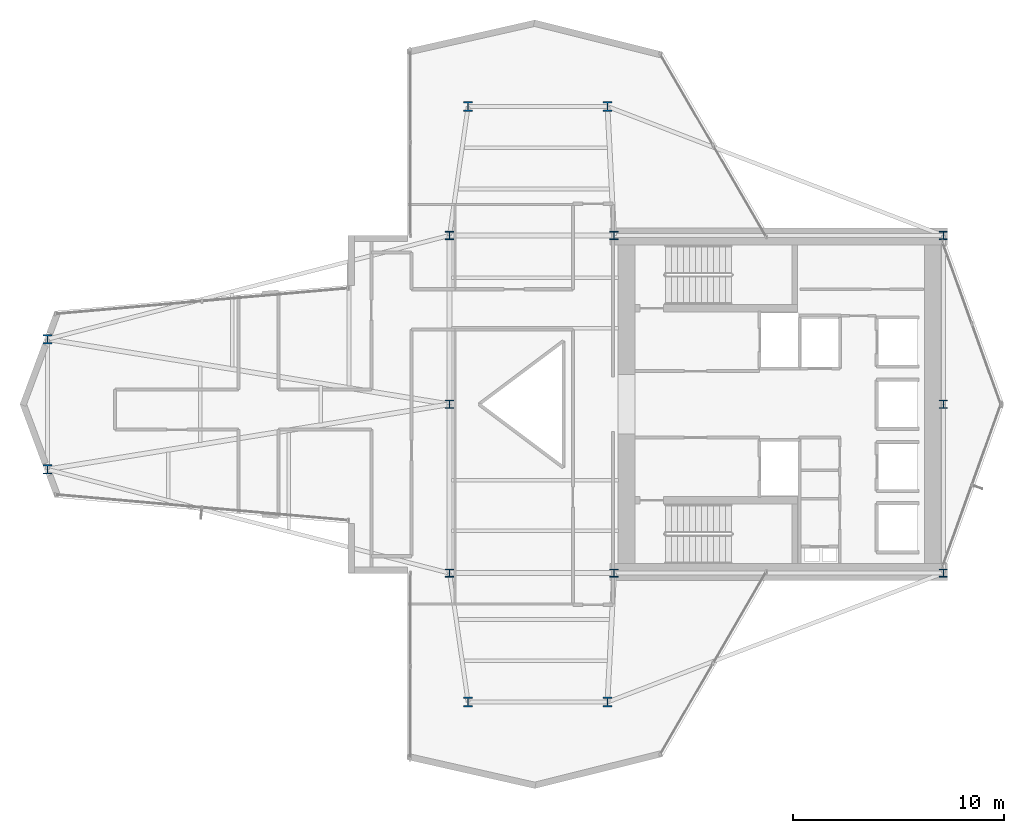
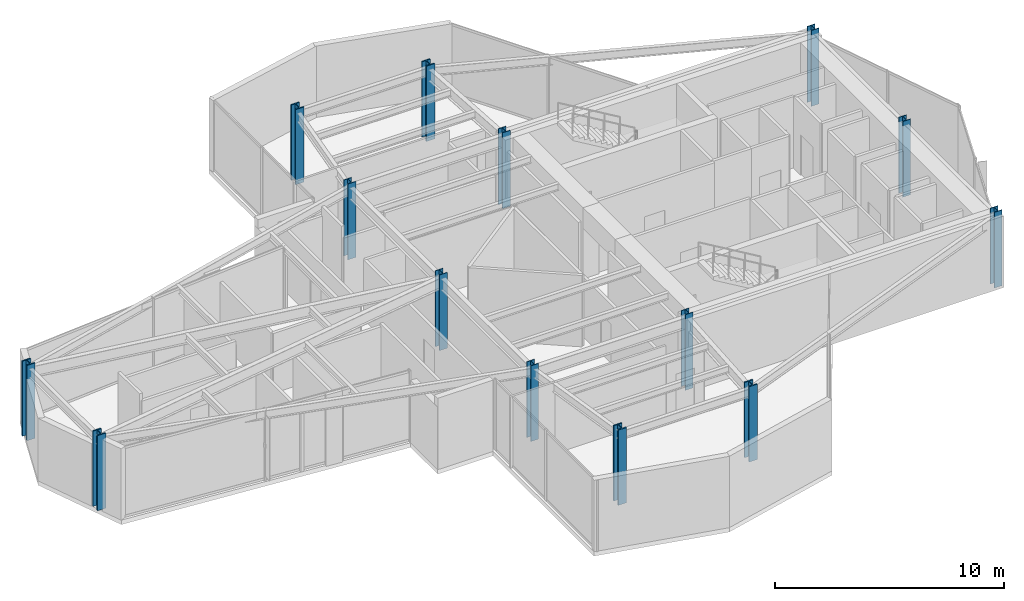
# One storey, part 1 of 25: 14 columns.
"""IFC4 building model written with IfcOpenShell, lengths in metres."""

from ifc_helpers import new_model, si_unit, direction, frame, origin, origin_2d, place, context, subcontext, project, spatial, i_section, extrude, material, material_profile, profile_set, type_object, element, save


model = new_model("IFC4")

# Units and contexts
model_context = context("Model", 3, precision=1e-05, world=origin(), true_north=direction((0.0, 1.0)))
body_context = subcontext(model_context, "Body", "Model", "MODEL_VIEW")
ifc_project = project(units=[si_unit("LENGTHUNIT", "METRE"), si_unit("AREAUNIT", "SQUARE_METRE"), si_unit("VOLUMEUNIT", "CUBIC_METRE"), si_unit("PLANEANGLEUNIT", "RADIAN"), si_unit("MASSUNIT", "GRAM", prefix="KILO")], contexts=[model_context])

# Site, building, storey
site_placement = place(None, origin())
site = spatial("IfcSite", under=ifc_project, at=site_placement, CompositionType="ELEMENT")
building_placement = place(site_placement, origin())
building = spatial("IfcBuilding", under=site, at=building_placement, Name="Veymaron Broadcast Tower", CompositionType="ELEMENT")
storey_placement = place(building_placement, frame((0.0, 0.0, 169.5)))
storey = spatial("IfcBuildingStorey", under=building, at=storey_placement, Name="L39", CompositionType="ELEMENT", Elevation=169.5)

# Columns
ifc_material_1 = material(Name="Structural steel ASTM A992 Gr 50", Category="steel")
ifc_material_profile_1 = material_profile(ifc_material_1, i_section(OverallWidth=0.39794921875, OverallDepth=0.386962890625, WebThickness=0.02099609375, FlangeThickness=0.033203125, at=origin_2d()), Name="W360X262")
ifc_profile_set_1 = profile_set([ifc_material_profile_1], Name="Structural steel ASTM A992 Gr 50")
column_type_1 = type_object("IfcColumnType", Name="COL-HC2", PredefinedType="COLUMN", material=ifc_profile_set_1)
for number, where, z_axis, x_axis, name in (
    (1, (31.199951171875, 16.0, 0.0), (0.0, 0.0, 1.0), (1.0, 0.0, 0.0), "L39 structural hub and core column"),
    (2, (31.199951171875, 24.0, 0.0), (0.0, 0.0, 1.0), (1.0, 0.0, 0.0), "L39 structural hub and core column"),
    (3, (31.199951171875, 32.0, 0.0), (0.0, 0.0, 1.0), (1.0, 0.0, 0.0), "L39 structural hub and core column"),
    (4, (39.0, 16.0, 0.0), (0.0, 0.0, 1.0), (1.0, 0.0, 0.0), "L39 structural hub and core column"),
    (5, (39.0, 32.0, 0.0), (0.0, 0.0, 1.0), (1.0, 0.0, 0.0), "L39 structural hub and core column"),
    (6, (54.60009765625, 16.0, 0.0), (0.0, 0.0, 1.0), (1.0, 0.0, 0.0), "L39 structural hub and core column"),
    (7, (54.60009765625, 24.0, 0.0), (0.0, 0.0, 1.0), (1.0, 0.0, 0.0), "L39 structural hub and core column"),
    (8, (54.60009765625, 32.0, 0.0), (0.0, 0.0, 1.0), (1.0, 0.0, 0.0), "L39 structural hub and core column"),
):
    element("IfcColumn", number, at=place(storey_placement, frame(where, z_axis=z_axis, x_axis=x_axis)), inside=storey, type_object=column_type_1, Name=name, PredefinedType="COLUMN", context=body_context, shape_type="SweptSolid", body=[
        extrude(i_section(OverallWidth=0.39794921875, OverallDepth=0.386962890625, WebThickness=0.02099609375, FlangeThickness=0.033203125, at=origin_2d()), origin(), (0.0, 0.0, 1.0), 4.0439453125),
    ])
ifc_material_2 = material(Name="Structural steel ASTM A913 Gr 65", Category="steel")
ifc_material_profile_2 = material_profile(ifc_material_2, i_section(OverallWidth=0.41796875, OverallDepth=0.455078125, WebThickness=0.0419921875, FlangeThickness=0.067626953125, at=origin_2d()), Name="W360X551")
ifc_profile_set_2 = profile_set([ifc_material_profile_2], Name="Structural steel ASTM A913 Gr 65")
column_type_2 = type_object("IfcColumnType", Name="COL-MC2", PredefinedType="COLUMN", material=ifc_profile_set_2)
for number, where, z_axis, x_axis, name in (
    (9, (12.14697265625, 20.9150390625, 0.01611328125), (0.0, 0.0, 1.0), (1.0, 0.0, 0.0), "L39 Tapered Wing Mega Column"),
    (10, (12.14697265625, 27.0849609375, 0.01611328125), (0.0, 0.0, 1.0), (1.0, 0.0, 0.0), "L39 Tapered Wing Mega Column"),
    (11, (32.08203125, 38.110107421875, 0.01611328125), (0.0, 0.0, 1.0), (1.0, 0.0, 0.0), "L39 Tapered Wing Mega Column"),
    (12, (38.68505859375, 38.110107421875, 0.01611328125), (0.0, 0.0, 1.0), (1.0, 0.0, 0.0), "L39 Tapered Wing Mega Column"),
    (13, (32.08203125, 9.889892578125, 0.01611328125), (0.0, 0.0, 1.0), (1.0, 0.0, 0.0), "L39 Tapered Wing Mega Column"),
    (14, (38.68505859375, 9.889892578125, 0.01611328125), (0.0, 0.0, 1.0), (1.0, 0.0, 0.0), "L39 Tapered Wing Mega Column"),
):
    element("IfcColumn", number, at=place(storey_placement, frame(where, z_axis=z_axis, x_axis=x_axis)), inside=storey, type_object=column_type_2, Name=name, PredefinedType="COLUMN", context=body_context, shape_type="SweptSolid", body=[
        extrude(i_section(OverallWidth=0.41796875, OverallDepth=0.455078125, WebThickness=0.0419921875, FlangeThickness=0.067626953125, at=origin_2d()), origin(), (0.0, 0.0, 1.0), 4.017822265625),
    ])

save(model, "model.ifc")
